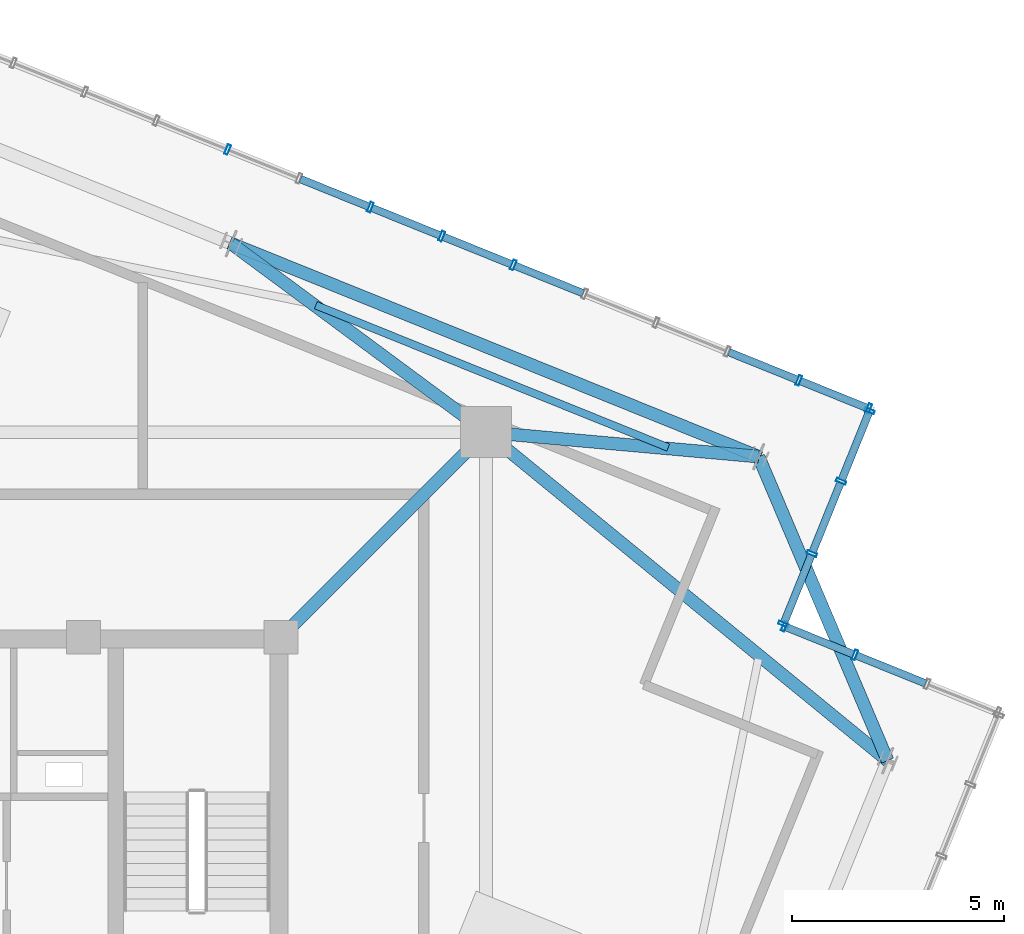
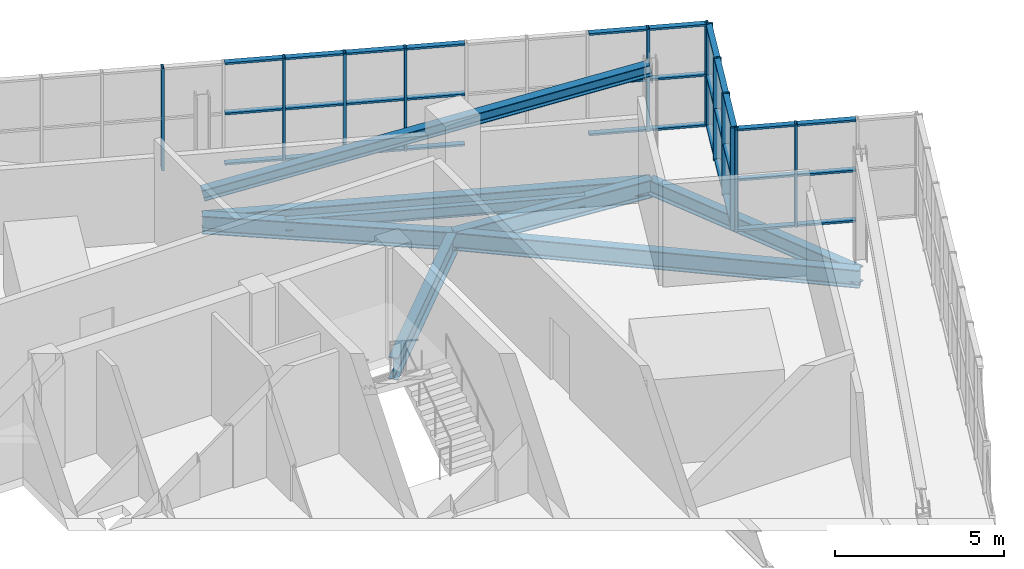
# One storey, part 16 of 26: 46 members, 7 beams, 3 elements without a shape of their own.
"""IFC4 building model written with IfcOpenShell, lengths in metres."""

from ifc_helpers import new_model, si_unit, direction, frame, origin, origin_2d, place, context, subcontext, project, spatial, hollow_rectangle, i_section, extrude, source, transform, mapped, material, layer, layer_set, material_profile, profile_set, type_object, element, aggregate, save


model = new_model("IFC4")

# Units and contexts
model_context = context("Model", 3, precision=1e-05, world=origin(), true_north=direction((0.0, 1.0)))
body_context = subcontext(model_context, "Body", "Model", "MODEL_VIEW")
ifc_project = project(units=[si_unit("LENGTHUNIT", "METRE"), si_unit("AREAUNIT", "SQUARE_METRE"), si_unit("VOLUMEUNIT", "CUBIC_METRE"), si_unit("PLANEANGLEUNIT", "RADIAN"), si_unit("MASSUNIT", "GRAM", prefix="KILO"), si_unit("THERMODYNAMICTEMPERATUREUNIT", "KELVIN")], contexts=[model_context])

# Site, building, storey
site_placement = place(None, origin())
site = spatial("IfcSite", under=ifc_project, at=site_placement, CompositionType="ELEMENT")
building_placement = place(site_placement, origin())
building = spatial("IfcBuilding", under=site, at=building_placement, Name="Kosmvard Interchange Tower", CompositionType="ELEMENT")
storey_placement = place(building_placement, frame((0.0, 0.0, 333.60009765625)))
storey = spatial("IfcBuildingStorey", under=building, at=storey_placement, Name="L82", CompositionType="ELEMENT", Elevation=333.60009765625)

# Beam
ifc_material_1 = material(Name="Steel S355", Category="steel")
ifc_material_profile_1 = material_profile(ifc_material_1, i_section(OverallWidth=0.300048828125, OverallDepth=0.800048828125, WebThickness=0.017578125, FlangeThickness=0.032958984375, FilletRadius=0.027099609375, at=origin_2d()), Name="HEB 800")
ifc_profile_set_1 = profile_set([ifc_material_profile_1], Name="Steel S355")
beam_type_1 = type_object("IfcBeamType", Name="Primary Mega-Frame Girder HEB 800 S355", PredefinedType="BEAM", material=ifc_profile_set_1)
shared_shape_1 = source(origin(), body_context, "Body", "SweptSolid", [
    extrude(i_section(OverallWidth=0.300048828125, OverallDepth=0.800048828125, WebThickness=0.017578125, FlangeThickness=0.032958984375, FilletRadius=0.027099609375, at=origin_2d()), origin(), (0.0, 0.0, 1.0), 6.83203125),
])
beam_1_placement = place(storey_placement, frame((8.25, 8.25, -0.7001953125), z_axis=(0.707106781187, 0.707106781187, 0.0), x_axis=(-0.707106781187, 0.707106781187, 0.0)))
element("IfcBeam", 1, at=beam_1_placement, inside=storey, type_object=beam_type_1, Name="L82 Radial Mega-Frame Girder 3", PredefinedType="BEAM", context=body_context, shape_type="MappedRepresentation", body=[
    mapped(shared_shape_1, transform((0.0, 0.0, 0.0), scale=1.0)),
])

# Member
ifc_material_profile_2 = material_profile(ifc_material_1, i_section(OverallWidth=0.300048828125, OverallDepth=0.39990234375, WebThickness=0.013427734375, FlangeThickness=0.02392578125, FilletRadius=0.027099609375, at=origin_2d()), Name="HEB 400")
ifc_profile_set_2 = profile_set([ifc_material_profile_2], Name="Steel S355")
member_type_1 = type_object("IfcMemberType", Name="Lantern Crown Diagrid Brace HEB 400 S355", PredefinedType="BRACE", material=ifc_profile_set_2)
shared_shape_2 = source(origin(), body_context, "Body", "SweptSolid", [
    extrude(i_section(OverallWidth=0.300048828125, OverallDepth=0.39990234375, WebThickness=0.013427734375, FlangeThickness=0.02392578125, FilletRadius=0.027099609375, at=origin_2d()), origin(), (0.0, 0.0, 1.0), 13.78369140625),
])
member_1_placement = place(storey_placement, frame((7.080078125, 17.523681640625, 0.419921875), z_axis=(0.901373372792, -0.364162635972, 0.234332279859), x_axis=(0.374592580972, 0.927189515839, 0.0)))
element("IfcMember", 2, at=member_1_placement, inside=storey, type_object=member_type_1, Name="L82 Crown Lantern Diagrid Brace E1", PredefinedType="BRACE", context=body_context, shape_type="MappedRepresentation", body=[
    mapped(shared_shape_2, transform((0.0, 0.0, 0.0), scale=1.0)),
])

# Beams
ifc_material_profile_3 = material_profile(ifc_material_1, i_section(OverallWidth=0.300048828125, OverallDepth=0.550048828125, WebThickness=0.014892578125, FlangeThickness=0.029052734375, FilletRadius=0.027099609375, at=origin_2d()), Name="HEB 550")
ifc_profile_set_3 = profile_set([ifc_material_profile_3], Name="Steel S355")
beam_type_2 = type_object("IfcBeamType", Name="Crown Ring Cap Girder HEB 550 S355", PredefinedType="BEAM", material=ifc_profile_set_3)
shared_shape_3 = source(origin(), body_context, "Body", "SweptSolid", [
    extrude(i_section(OverallWidth=0.300048828125, OverallDepth=0.550048828125, WebThickness=0.014892578125, FlangeThickness=0.029052734375, FilletRadius=0.027099609375, at=origin_2d()), origin(), (0.0, 0.0, 1.0), 13.39990234375),
])
beam_2_placement = place(storey_placement, frame((19.50439453125, 12.504150390625, -0.5751953125), z_axis=(-0.927189515839, 0.374592580972, 0.0), x_axis=(-0.374592580972, -0.927189515839, 0.0)))
element("IfcBeam", 3, at=beam_2_placement, inside=storey, type_object=beam_type_2, Name="BM-L82-PR04", PredefinedType="BEAM", context=body_context, shape_type="MappedRepresentation", body=[
    mapped(shared_shape_3, transform((0.0, 0.0, 0.0), scale=1.0)),
])
ifc_material_profile_4 = material_profile(ifc_material_1, i_section(OverallWidth=0.300048828125, OverallDepth=0.64990234375, WebThickness=0.01611328125, FlangeThickness=0.031005859375, FilletRadius=0.027099609375, at=origin_2d()), Name="HEB 650")
ifc_profile_set_4 = profile_set([ifc_material_profile_4], Name="Steel S355")
beam_type_3 = type_object("IfcBeamType", Name="Primary Floor Girder HEB 650 S355", PredefinedType="BEAM", material=ifc_profile_set_4)
shared_shape_4 = source(origin(), body_context, "Body", "SweptSolid", [
    extrude(i_section(OverallWidth=0.300048828125, OverallDepth=0.64990234375, WebThickness=0.01611328125, FlangeThickness=0.031005859375, FilletRadius=0.027099609375, at=origin_2d()), origin(), (0.0, 0.0, 1.0), 6.44921875),
])
beam_3_placement = place(storey_placement, frame((13.0810546875, 13.0810546875, -0.625), z_axis=(0.995990982197, -0.089453694068, 0.0), x_axis=(0.089453694068, 0.995990982197, 0.0)))
element("IfcBeam", 4, at=beam_3_placement, inside=storey, type_object=beam_type_3, Name="BM-L82-RD04", PredefinedType="BEAM", context=body_context, shape_type="MappedRepresentation", body=[
    mapped(shared_shape_4, transform((0.0, 0.0, 0.0), scale=1.0)),
])
shared_shape_5 = source(origin(), body_context, "Body", "SweptSolid", [
    extrude(i_section(OverallWidth=0.300048828125, OverallDepth=0.64990234375, WebThickness=0.01611328125, FlangeThickness=0.031005859375, FilletRadius=0.027099609375, at=origin_2d()), origin(), (0.0, 0.0, 1.0), 7.466552734375),
])
beam_4_placement = place(storey_placement, frame((13.0810546875, 13.0810546875, -0.625), z_axis=(-0.803719929879, 0.595007793491, 0.0), x_axis=(-0.595007793491, -0.803719929879, 0.0)))
element("IfcBeam", 5, at=beam_4_placement, inside=storey, type_object=beam_type_3, Name="BM-L82-RD05", PredefinedType="BEAM", context=body_context, shape_type="MappedRepresentation", body=[
    mapped(shared_shape_5, transform((0.0, 0.0, 0.0), scale=1.0)),
])
shared_shape_6 = source(origin(), body_context, "Body", "SweptSolid", [
    extrude(i_section(OverallWidth=0.300048828125, OverallDepth=0.550048828125, WebThickness=0.014892578125, FlangeThickness=0.029052734375, FilletRadius=0.027099609375, at=origin_2d()), origin(), (0.0, 0.0, 1.0), 7.778076171875),
])
beam_5_placement = place(storey_placement, frame((22.54345703125, 5.34423828125, -0.5751953125), z_axis=(-0.39071589075, 0.92051132134, 0.0), x_axis=(-0.92051132134, -0.39071589075, 0.0)))
element("IfcBeam", 6, at=beam_5_placement, inside=storey, type_object=beam_type_2, Name="BM-L82-PR03", PredefinedType="BEAM", context=body_context, shape_type="MappedRepresentation", body=[
    mapped(shared_shape_6, transform((0.0, 0.0, 0.0), scale=1.0)),
])
shared_shape_7 = source(origin(), body_context, "Body", "SweptSolid", [
    extrude(i_section(OverallWidth=0.300048828125, OverallDepth=0.64990234375, WebThickness=0.01611328125, FlangeThickness=0.031005859375, FilletRadius=0.027099609375, at=origin_2d()), origin(), (0.0, 0.0, 1.0), 12.22265625),
])
beam_6_placement = place(storey_placement, frame((13.0810546875, 13.0810546875, -0.625), z_axis=(0.774163725034, -0.632985408079, 0.0), x_axis=(0.632985408079, 0.774163725034, 0.0)))
element("IfcBeam", 7, at=beam_6_placement, inside=storey, type_object=beam_type_3, Name="BM-L82-RD03", PredefinedType="BEAM", context=body_context, shape_type="MappedRepresentation", body=[
    mapped(shared_shape_7, transform((0.0, 0.0, 0.0), scale=1.0)),
])
ifc_material_profile_5 = material_profile(ifc_material_1, i_section(OverallWidth=0.179931640625, OverallDepth=0.39990234375, WebThickness=0.008544921875, FlangeThickness=0.013427734375, FilletRadius=0.02099609375, at=origin_2d()), Name="IPE 400")
ifc_profile_set_5 = profile_set([ifc_material_profile_5], Name="Steel S355")
beam_type_4 = type_object("IfcBeamType", Name="Upper-Zone Floor Joist IPE 400 S355", PredefinedType="JOIST", material=ifc_profile_set_5)
shared_shape_8 = source(origin(), body_context, "Body", "SweptSolid", [
    extrude(i_section(OverallWidth=0.179931640625, OverallDepth=0.39990234375, WebThickness=0.008544921875, FlangeThickness=0.013427734375, FilletRadius=0.02099609375, at=origin_2d()), origin(), (0.0, 0.0, 1.0), 8.9521484375),
])
beam_7_placement = place(storey_placement, frame((17.374755859375, 12.71875, -0.5), z_axis=(-0.927194118723, 0.374581187736, 0.0), x_axis=(-0.374581187736, -0.927194118723, 0.0)))
element("IfcBeam", 8, at=beam_7_placement, inside=storey, type_object=beam_type_4, Name="BM-L82-FJ03", PredefinedType="JOIST", context=body_context, shape_type="MappedRepresentation", body=[
    mapped(shared_shape_8, transform((0.0, 0.0, 0.0), scale=1.0)),
])

# Curtain wall, members
ifc_material_2 = material(Name="Architectural anodised aluminium", Category="aluminium")
ifc_layer = layer(ifc_material_2, 0.25, Name="Architectural anodised aluminium")
ifc_layer_set = layer_set([ifc_layer], Name="Architectural anodised aluminium")
curtain_wall_type = type_object("IfcCurtainWallType", Name="CW-6 Illuminated Crown Lantern Curtain Wall", PredefinedType="NOTDEFINED", material=ifc_layer_set)
curtain_wall_1_placement = place(storey_placement, origin())
curtain_wall_1 = element("IfcCurtainWall", 9, at=curtain_wall_1_placement, inside=storey, type_object=curtain_wall_type, Name="L82 Crown Lantern Glazing Face 02", PredefinedType="NOTDEFINED")
ifc_material_profile_6 = material_profile(ifc_material_2, hollow_rectangle(XDim=0.239990234375, YDim=0.080078125, WallThickness=0.006103515625, at=origin_2d()), Name="CWM 240x80x6")
ifc_profile_set_6 = profile_set([ifc_material_profile_6], Name="Architectural anodised aluminium")
member_type_2 = type_object("IfcMemberType", Name="Lantern & Observation CW Mullion 240x80 Aluminium", PredefinedType="MULLION", material=ifc_profile_set_6)
shared_shape_9 = source(origin(), body_context, "Body", "SweptSolid", [
    extrude(hollow_rectangle(XDim=0.239990234375, YDim=0.080078125, WallThickness=0.006103515625, at=origin_2d()), origin(), (0.0, 0.0, 1.0), 3.699951171875),
])
member_2_placement = place(storey_placement, frame((21.7734375, 7.833984375, 0.0), z_axis=(0.0, 0.0, 1.0), x_axis=(-0.374606564822, -0.92718386612, 0.0)))
member_2 = element("IfcMember", 10, at=member_2_placement, type_object=member_type_2, Name="CW-6 mullion 3", PredefinedType="MULLION", context=body_context, shape_type="MappedRepresentation", body=[
    mapped(shared_shape_9, transform((0.0, 0.0, 0.0), scale=1.0)),
])
member_3_placement = place(storey_placement, frame((20.110595703125, 8.505859375, 0.0), z_axis=(0.0, 0.0, 1.0), x_axis=(-0.374606564822, -0.92718386612, 0.0)))
member_3 = element("IfcMember", 11, at=member_3_placement, type_object=member_type_2, Name="CW-6 mullion 4", PredefinedType="MULLION", context=body_context, shape_type="MappedRepresentation", body=[
    mapped(shared_shape_9, transform((0.0, 0.0, 0.0), scale=1.0)),
])

curtain_wall_2_placement = place(storey_placement, origin())
curtain_wall_2 = element("IfcCurtainWall", 12, at=curtain_wall_2_placement, inside=storey, type_object=curtain_wall_type, Name="L82 Crown Lantern Glazing Face 03", PredefinedType="NOTDEFINED")
member_4_placement = place(storey_placement, frame((20.088623046875, 8.557861328125, 0.0), z_axis=(0.0, 0.0, 1.0), x_axis=(-0.927183891631, 0.374606501678, 0.0)))
member_4 = element("IfcMember", 13, at=member_4_placement, type_object=member_type_2, Name="CW-6 mullion 1", PredefinedType="MULLION", context=body_context, shape_type="MappedRepresentation", body=[
    mapped(shared_shape_9, transform((0.0, 0.0, 0.0), scale=1.0)),
])
member_5_placement = place(storey_placement, frame((20.760498046875, 10.220458984375, 0.0), z_axis=(0.0, 0.0, 1.0), x_axis=(-0.927183891631, 0.374606501678, 0.0)))
member_5 = element("IfcMember", 14, at=member_5_placement, type_object=member_type_2, Name="CW-6 mullion 2", PredefinedType="MULLION", context=body_context, shape_type="MappedRepresentation", body=[
    mapped(shared_shape_9, transform((0.0, 0.0, 0.0), scale=1.0)),
])
member_6_placement = place(storey_placement, frame((21.447265625, 11.92041015625, 0.0), z_axis=(0.0, 0.0, 1.0), x_axis=(-0.927183891631, 0.374606501678, 0.0)))
member_6 = element("IfcMember", 15, at=member_6_placement, type_object=member_type_2, Name="CW-6 mullion 3", PredefinedType="MULLION", context=body_context, shape_type="MappedRepresentation", body=[
    mapped(shared_shape_9, transform((0.0, 0.0, 0.0), scale=1.0)),
])
member_7_placement = place(storey_placement, frame((22.118896484375, 13.583251953125, 0.0), z_axis=(0.0, 0.0, 1.0), x_axis=(-0.927183891631, 0.374606501678, 0.0)))
member_7 = element("IfcMember", 16, at=member_7_placement, type_object=member_type_2, Name="CW-6 mullion 4", PredefinedType="MULLION", context=body_context, shape_type="MappedRepresentation", body=[
    mapped(shared_shape_9, transform((0.0, 0.0, 0.0), scale=1.0)),
])

curtain_wall_3_placement = place(storey_placement, origin())
curtain_wall_3 = element("IfcCurtainWall", 17, at=curtain_wall_3_placement, inside=storey, type_object=curtain_wall_type, Name="L82 Crown Lantern Glazing Face 04", PredefinedType="NOTDEFINED")
member_8_placement = place(storey_placement, frame((22.096923828125, 13.63525390625, 0.0), z_axis=(0.0, 0.0, 1.0), x_axis=(-0.374606584758, -0.927183858065, 0.0)))
member_8 = element("IfcMember", 18, at=member_8_placement, type_object=member_type_2, Name="CW-6 mullion 1", PredefinedType="MULLION", context=body_context, shape_type="MappedRepresentation", body=[
    mapped(shared_shape_9, transform((0.0, 0.0, 0.0), scale=1.0)),
])
member_9_placement = place(storey_placement, frame((20.451904296875, 14.2998046875, 0.0), z_axis=(0.0, 0.0, 1.0), x_axis=(-0.374606584758, -0.927183858065, 0.0)))
member_9 = element("IfcMember", 19, at=member_9_placement, type_object=member_type_2, Name="CW-6 mullion 2", PredefinedType="MULLION", context=body_context, shape_type="MappedRepresentation", body=[
    mapped(shared_shape_9, transform((0.0, 0.0, 0.0), scale=1.0)),
])
member_10_placement = place(storey_placement, frame((13.723876953125, 17.01806640625, 0.0), z_axis=(0.0, 0.0, 1.0), x_axis=(-0.374606584758, -0.927183858065, 0.0)))
member_10 = element("IfcMember", 20, at=member_10_placement, type_object=member_type_2, Name="CW-6 mullion 6", PredefinedType="MULLION", context=body_context, shape_type="MappedRepresentation", body=[
    mapped(shared_shape_9, transform((0.0, 0.0, 0.0), scale=1.0)),
])
member_11_placement = place(storey_placement, frame((12.041748046875, 17.69775390625, 0.0), z_axis=(0.0, 0.0, 1.0), x_axis=(-0.374606584758, -0.927183858065, 0.0)))
member_11 = element("IfcMember", 21, at=member_11_placement, type_object=member_type_2, Name="CW-6 mullion 7", PredefinedType="MULLION", context=body_context, shape_type="MappedRepresentation", body=[
    mapped(shared_shape_9, transform((0.0, 0.0, 0.0), scale=1.0)),
])
member_12_placement = place(storey_placement, frame((10.35986328125, 18.377197265625, 0.0), z_axis=(0.0, 0.0, 1.0), x_axis=(-0.374606584758, -0.927183858065, 0.0)))
member_12 = element("IfcMember", 22, at=member_12_placement, type_object=member_type_2, Name="CW-6 mullion 8", PredefinedType="MULLION", context=body_context, shape_type="MappedRepresentation", body=[
    mapped(shared_shape_9, transform((0.0, 0.0, 0.0), scale=1.0)),
])
member_13_placement = place(storey_placement, frame((6.995849609375, 19.736572265625, 0.0), z_axis=(0.0, 0.0, 1.0), x_axis=(-0.374606584758, -0.927183858065, 0.0)))
member_13 = element("IfcMember", 23, at=member_13_placement, type_object=member_type_2, Name="CW-6 mullion 10", PredefinedType="MULLION", context=body_context, shape_type="MappedRepresentation", body=[
    mapped(shared_shape_9, transform((0.0, 0.0, 0.0), scale=1.0)),
])
ifc_material_profile_7 = material_profile(ifc_material_2, hollow_rectangle(XDim=0.179931640625, YDim=0.070068359375, WallThickness=0.0048828125, at=origin_2d()), Name="CWT 180x70x5")
ifc_profile_set_7 = profile_set([ifc_material_profile_7], Name="Architectural anodised aluminium")
member_type_3 = type_object("IfcMemberType", Name="Heavy Lantern CW Transom 180x70 Aluminium", PredefinedType="USERDEFINED", material=ifc_profile_set_7)
shared_shape_10 = source(origin(), body_context, "Body", "SweptSolid", [
    extrude(hollow_rectangle(XDim=0.179931640625, YDim=0.070068359375, WallThickness=0.0048828125, at=origin_2d()), origin(), (0.0, 0.0, 1.0), 1.694091796875),
])
member_14_placement = place(storey_placement, frame((22.059814453125, 13.650146484375, 0.034912109375), z_axis=(-0.927159064032, 0.374667946298, 0.0), x_axis=(-0.374667946298, -0.927159064032, 0.0)))
member_14 = element("IfcMember", 24, at=member_14_placement, type_object=member_type_3, Name="CW-6 transom 1.1", ObjectType="TRANSOM", PredefinedType="USERDEFINED", context=body_context, shape_type="MappedRepresentation", body=[
    mapped(shared_shape_10, transform((0.0, 0.0, 0.0), scale=1.0)),
])
member_15_placement = place(storey_placement, frame((22.059814453125, 13.650146484375, 1.849853515625), z_axis=(-0.927159064032, 0.374667946298, 0.0), x_axis=(-0.374667946298, -0.927159064032, 0.0)))
member_15 = element("IfcMember", 25, at=member_15_placement, type_object=member_type_3, Name="CW-6 transom 1.2", ObjectType="TRANSOM", PredefinedType="USERDEFINED", context=body_context, shape_type="MappedRepresentation", body=[
    mapped(shared_shape_10, transform((0.0, 0.0, 0.0), scale=1.0)),
])
member_16_placement = place(storey_placement, frame((22.059814453125, 13.650146484375, 3.664794921875), z_axis=(-0.927159064032, 0.374667946298, 0.0), x_axis=(-0.374667946298, -0.927159064032, 0.0)))
member_16 = element("IfcMember", 26, at=member_16_placement, type_object=member_type_3, Name="CW-6 transom 1.3", ObjectType="TRANSOM", PredefinedType="USERDEFINED", context=body_context, shape_type="MappedRepresentation", body=[
    mapped(shared_shape_10, transform((0.0, 0.0, 0.0), scale=1.0)),
])
shared_shape_11 = source(origin(), body_context, "Body", "SweptSolid", [
    extrude(hollow_rectangle(XDim=0.179931640625, YDim=0.070068359375, WallThickness=0.0048828125, at=origin_2d()), origin(), (0.0, 0.0, 1.0), 1.734130859375),
])
member_17_placement = place(storey_placement, frame((20.414794921875, 14.314697265625, 0.034912109375), z_axis=(-0.927179782522, 0.374616671924, 0.0), x_axis=(-0.374616671924, -0.927179782522, 0.0)))
member_17 = element("IfcMember", 27, at=member_17_placement, type_object=member_type_3, Name="CW-6 transom 2.1", ObjectType="TRANSOM", PredefinedType="USERDEFINED", context=body_context, shape_type="MappedRepresentation", body=[
    mapped(shared_shape_11, transform((0.0, 0.0, 0.0), scale=1.0)),
])
member_18_placement = place(storey_placement, frame((20.414794921875, 14.314697265625, 1.849853515625), z_axis=(-0.927179782522, 0.374616671924, 0.0), x_axis=(-0.374616671924, -0.927179782522, 0.0)))
member_18 = element("IfcMember", 28, at=member_18_placement, type_object=member_type_3, Name="CW-6 transom 2.2", ObjectType="TRANSOM", PredefinedType="USERDEFINED", context=body_context, shape_type="MappedRepresentation", body=[
    mapped(shared_shape_11, transform((0.0, 0.0, 0.0), scale=1.0)),
])
member_19_placement = place(storey_placement, frame((20.414794921875, 14.314697265625, 3.664794921875), z_axis=(-0.927179782522, 0.374616671924, 0.0), x_axis=(-0.374616671924, -0.927179782522, 0.0)))
member_19 = element("IfcMember", 29, at=member_19_placement, type_object=member_type_3, Name="CW-6 transom 2.3", ObjectType="TRANSOM", PredefinedType="USERDEFINED", context=body_context, shape_type="MappedRepresentation", body=[
    mapped(shared_shape_11, transform((0.0, 0.0, 0.0), scale=1.0)),
])
member_20_placement = place(storey_placement, frame((15.368896484375, 16.353515625, 0.034912109375), z_axis=(-0.927179782522, 0.374616671924, 0.0), x_axis=(-0.374616671924, -0.927179782522, 0.0)))
member_20 = element("IfcMember", 30, at=member_20_placement, type_object=member_type_3, Name="CW-6 transom 5.1", ObjectType="TRANSOM", PredefinedType="USERDEFINED", context=body_context, shape_type="MappedRepresentation", body=[
    mapped(shared_shape_11, transform((0.0, 0.0, 0.0), scale=1.0)),
])
member_21_placement = place(storey_placement, frame((15.368896484375, 16.353515625, 1.849853515625), z_axis=(-0.927179782522, 0.374616671924, 0.0), x_axis=(-0.374616671924, -0.927179782522, 0.0)))
member_21 = element("IfcMember", 31, at=member_21_placement, type_object=member_type_3, Name="CW-6 transom 5.2", ObjectType="TRANSOM", PredefinedType="USERDEFINED", context=body_context, shape_type="MappedRepresentation", body=[
    mapped(shared_shape_11, transform((0.0, 0.0, 0.0), scale=1.0)),
])
member_22_placement = place(storey_placement, frame((15.368896484375, 16.353515625, 3.664794921875), z_axis=(-0.927179782522, 0.374616671924, 0.0), x_axis=(-0.374616671924, -0.927179782522, 0.0)))
member_22 = element("IfcMember", 32, at=member_22_placement, type_object=member_type_3, Name="CW-6 transom 5.3", ObjectType="TRANSOM", PredefinedType="USERDEFINED", context=body_context, shape_type="MappedRepresentation", body=[
    mapped(shared_shape_11, transform((0.0, 0.0, 0.0), scale=1.0)),
])
member_23_placement = place(storey_placement, frame((13.686767578125, 17.033203125, 0.034912109375), z_axis=(-0.927179782522, 0.374616671924, 0.0), x_axis=(-0.374616671924, -0.927179782522, 0.0)))
member_23 = element("IfcMember", 33, at=member_23_placement, type_object=member_type_3, Name="CW-6 transom 6.1", ObjectType="TRANSOM", PredefinedType="USERDEFINED", context=body_context, shape_type="MappedRepresentation", body=[
    mapped(shared_shape_11, transform((0.0, 0.0, 0.0), scale=1.0)),
])
member_24_placement = place(storey_placement, frame((13.686767578125, 17.033203125, 1.849853515625), z_axis=(-0.927179782522, 0.374616671924, 0.0), x_axis=(-0.374616671924, -0.927179782522, 0.0)))
member_24 = element("IfcMember", 34, at=member_24_placement, type_object=member_type_3, Name="CW-6 transom 6.2", ObjectType="TRANSOM", PredefinedType="USERDEFINED", context=body_context, shape_type="MappedRepresentation", body=[
    mapped(shared_shape_11, transform((0.0, 0.0, 0.0), scale=1.0)),
])
member_25_placement = place(storey_placement, frame((13.686767578125, 17.033203125, 3.664794921875), z_axis=(-0.927179782522, 0.374616671924, 0.0), x_axis=(-0.374616671924, -0.927179782522, 0.0)))
member_25 = element("IfcMember", 35, at=member_25_placement, type_object=member_type_3, Name="CW-6 transom 6.3", ObjectType="TRANSOM", PredefinedType="USERDEFINED", context=body_context, shape_type="MappedRepresentation", body=[
    mapped(shared_shape_11, transform((0.0, 0.0, 0.0), scale=1.0)),
])
member_26_placement = place(storey_placement, frame((10.32275390625, 18.392333984375, 0.034912109375), z_axis=(-0.927179782522, 0.374616671924, 0.0), x_axis=(-0.374616671924, -0.927179782522, 0.0)))
member_26 = element("IfcMember", 36, at=member_26_placement, type_object=member_type_3, Name="CW-6 transom 8.1", ObjectType="TRANSOM", PredefinedType="USERDEFINED", context=body_context, shape_type="MappedRepresentation", body=[
    mapped(shared_shape_11, transform((0.0, 0.0, 0.0), scale=1.0)),
])
member_27_placement = place(storey_placement, frame((10.32275390625, 18.392333984375, 1.849853515625), z_axis=(-0.927179782522, 0.374616671924, 0.0), x_axis=(-0.374616671924, -0.927179782522, 0.0)))
member_27 = element("IfcMember", 37, at=member_27_placement, type_object=member_type_3, Name="CW-6 transom 8.2", ObjectType="TRANSOM", PredefinedType="USERDEFINED", context=body_context, shape_type="MappedRepresentation", body=[
    mapped(shared_shape_11, transform((0.0, 0.0, 0.0), scale=1.0)),
])
member_28_placement = place(storey_placement, frame((10.32275390625, 18.392333984375, 3.664794921875), z_axis=(-0.927179782522, 0.374616671924, 0.0), x_axis=(-0.374616671924, -0.927179782522, 0.0)))
member_28 = element("IfcMember", 38, at=member_28_placement, type_object=member_type_3, Name="CW-6 transom 8.3", ObjectType="TRANSOM", PredefinedType="USERDEFINED", context=body_context, shape_type="MappedRepresentation", body=[
    mapped(shared_shape_11, transform((0.0, 0.0, 0.0), scale=1.0)),
])
shared_shape_12 = source(origin(), body_context, "Body", "SweptSolid", [
    extrude(hollow_rectangle(XDim=0.179931640625, YDim=0.070068359375, WallThickness=0.0048828125, at=origin_2d()), origin(), (0.0, 0.0, 1.0), 1.73388671875),
])
member_29_placement = place(storey_placement, frame((12.004638671875, 17.712646484375, 0.034912109375), z_axis=(-0.927160021861, 0.374665576032, 0.0), x_axis=(-0.374665576032, -0.927160021861, 0.0)))
member_29 = element("IfcMember", 39, at=member_29_placement, type_object=member_type_3, Name="CW-6 transom 7.1", ObjectType="TRANSOM", PredefinedType="USERDEFINED", context=body_context, shape_type="MappedRepresentation", body=[
    mapped(shared_shape_12, transform((0.0, 0.0, 0.0), scale=1.0)),
])
member_30_placement = place(storey_placement, frame((12.004638671875, 17.712646484375, 1.849853515625), z_axis=(-0.927160021861, 0.374665576032, 0.0), x_axis=(-0.374665576032, -0.927160021861, 0.0)))
member_30 = element("IfcMember", 40, at=member_30_placement, type_object=member_type_3, Name="CW-6 transom 7.2", ObjectType="TRANSOM", PredefinedType="USERDEFINED", context=body_context, shape_type="MappedRepresentation", body=[
    mapped(shared_shape_12, transform((0.0, 0.0, 0.0), scale=1.0)),
])
member_31_placement = place(storey_placement, frame((12.004638671875, 17.712646484375, 3.664794921875), z_axis=(-0.927160021861, 0.374665576032, 0.0), x_axis=(-0.374665576032, -0.927160021861, 0.0)))
member_31 = element("IfcMember", 41, at=member_31_placement, type_object=member_type_3, Name="CW-6 transom 7.3", ObjectType="TRANSOM", PredefinedType="USERDEFINED", context=body_context, shape_type="MappedRepresentation", body=[
    mapped(shared_shape_12, transform((0.0, 0.0, 0.0), scale=1.0)),
])
aggregate(curtain_wall_3, [member_8, member_9, member_10, member_11, member_12, member_13, member_14, member_15, member_16, member_17, member_18, member_19, member_20, member_21, member_22, member_23, member_24, member_25, member_29, member_30, member_31, member_26, member_27, member_28])

# Member
shared_shape_13 = source(origin(), body_context, "Body", "SweptSolid", [
    extrude(hollow_rectangle(XDim=0.179931640625, YDim=0.070068359375, WallThickness=0.0048828125, at=origin_2d()), origin(), (0.0, 0.0, 1.0), 1.71337890625),
])
member_32_placement = place(storey_placement, frame((21.736328125, 7.848876953125, 0.034912109375), z_axis=(-0.927183787829, 0.374606758599, 0.0), x_axis=(-0.374606758599, -0.927183787829, 0.0)))
member_32 = element("IfcMember", 42, at=member_32_placement, type_object=member_type_3, Name="CW-6 transom 3.1", ObjectType="TRANSOM", PredefinedType="USERDEFINED", context=body_context, shape_type="MappedRepresentation", body=[
    mapped(shared_shape_13, transform((0.0, 0.0, 0.0), scale=1.0)),
])

member_33_placement = place(storey_placement, frame((21.736328125, 7.848876953125, 1.849853515625), z_axis=(-0.927183787829, 0.374606758599, 0.0), x_axis=(-0.374606758599, -0.927183787829, 0.0)))
member_33 = element("IfcMember", 43, at=member_33_placement, type_object=member_type_3, Name="CW-6 transom 3.2", ObjectType="TRANSOM", PredefinedType="USERDEFINED", context=body_context, shape_type="MappedRepresentation", body=[
    mapped(shared_shape_13, transform((0.0, 0.0, 0.0), scale=1.0)),
])

member_34_placement = place(storey_placement, frame((21.736328125, 7.848876953125, 3.664794921875), z_axis=(-0.927183787829, 0.374606758599, 0.0), x_axis=(-0.374606758599, -0.927183787829, 0.0)))
member_34 = element("IfcMember", 44, at=member_34_placement, type_object=member_type_3, Name="CW-6 transom 3.3", ObjectType="TRANSOM", PredefinedType="USERDEFINED", context=body_context, shape_type="MappedRepresentation", body=[
    mapped(shared_shape_13, transform((0.0, 0.0, 0.0), scale=1.0)),
])

member_35_placement = place(storey_placement, frame((20.103515625, 8.594970703125, 0.034912109375), z_axis=(0.374606758599, 0.927183787829, 0.0), x_axis=(-0.927183787829, 0.374606758599, 0.0)))
member_35 = element("IfcMember", 45, at=member_35_placement, type_object=member_type_3, Name="CW-6 transom 1.1", ObjectType="TRANSOM", PredefinedType="USERDEFINED", context=body_context, shape_type="MappedRepresentation", body=[
    mapped(shared_shape_13, transform((0.0, 0.0, 0.0), scale=1.0)),
])

member_36_placement = place(storey_placement, frame((20.103515625, 8.594970703125, 1.849853515625), z_axis=(0.374606758599, 0.927183787829, 0.0), x_axis=(-0.927183787829, 0.374606758599, 0.0)))
member_36 = element("IfcMember", 46, at=member_36_placement, type_object=member_type_3, Name="CW-6 transom 1.2", ObjectType="TRANSOM", PredefinedType="USERDEFINED", context=body_context, shape_type="MappedRepresentation", body=[
    mapped(shared_shape_13, transform((0.0, 0.0, 0.0), scale=1.0)),
])

member_37_placement = place(storey_placement, frame((20.103515625, 8.594970703125, 3.664794921875), z_axis=(0.374606758599, 0.927183787829, 0.0), x_axis=(-0.927183787829, 0.374606758599, 0.0)))
member_37 = element("IfcMember", 47, at=member_37_placement, type_object=member_type_3, Name="CW-6 transom 1.3", ObjectType="TRANSOM", PredefinedType="USERDEFINED", context=body_context, shape_type="MappedRepresentation", body=[
    mapped(shared_shape_13, transform((0.0, 0.0, 0.0), scale=1.0)),
])

member_38_placement = place(storey_placement, frame((21.462158203125, 11.95751953125, 0.034912109375), z_axis=(0.374606758599, 0.927183787829, 0.0), x_axis=(-0.927183787829, 0.374606758599, 0.0)))
member_38 = element("IfcMember", 48, at=member_38_placement, type_object=member_type_3, Name="CW-6 transom 3.1", ObjectType="TRANSOM", PredefinedType="USERDEFINED", context=body_context, shape_type="MappedRepresentation", body=[
    mapped(shared_shape_13, transform((0.0, 0.0, 0.0), scale=1.0)),
])

member_39_placement = place(storey_placement, frame((21.462158203125, 11.95751953125, 1.849853515625), z_axis=(0.374606758599, 0.927183787829, 0.0), x_axis=(-0.927183787829, 0.374606758599, 0.0)))
member_39 = element("IfcMember", 49, at=member_39_placement, type_object=member_type_3, Name="CW-6 transom 3.2", ObjectType="TRANSOM", PredefinedType="USERDEFINED", context=body_context, shape_type="MappedRepresentation", body=[
    mapped(shared_shape_13, transform((0.0, 0.0, 0.0), scale=1.0)),
])

member_40_placement = place(storey_placement, frame((21.462158203125, 11.95751953125, 3.664794921875), z_axis=(0.374606758599, 0.927183787829, 0.0), x_axis=(-0.927183787829, 0.374606758599, 0.0)))
member_40 = element("IfcMember", 50, at=member_40_placement, type_object=member_type_3, Name="CW-6 transom 3.3", ObjectType="TRANSOM", PredefinedType="USERDEFINED", context=body_context, shape_type="MappedRepresentation", body=[
    mapped(shared_shape_13, transform((0.0, 0.0, 0.0), scale=1.0)),
])

shared_shape_14 = source(origin(), body_context, "Body", "SweptSolid", [
    extrude(hollow_rectangle(XDim=0.179931640625, YDim=0.070068359375, WallThickness=0.0048828125, at=origin_2d()), origin(), (0.0, 0.0, 1.0), 1.75341796875),
])
member_41_placement = place(storey_placement, frame((23.436279296875, 7.162109375, 0.034912109375), z_axis=(-0.927155350429, 0.374677135907, 0.0), x_axis=(-0.374677135907, -0.927155350429, 0.0)))
member_41 = element("IfcMember", 51, at=member_41_placement, type_object=member_type_3, Name="CW-6 transom 2.1", ObjectType="TRANSOM", PredefinedType="USERDEFINED", context=body_context, shape_type="MappedRepresentation", body=[
    mapped(shared_shape_14, transform((0.0, 0.0, 0.0), scale=1.0)),
])

member_42_placement = place(storey_placement, frame((23.436279296875, 7.162109375, 1.849853515625), z_axis=(-0.927155350429, 0.374677135907, 0.0), x_axis=(-0.374677135907, -0.927155350429, 0.0)))
member_42 = element("IfcMember", 52, at=member_42_placement, type_object=member_type_3, Name="CW-6 transom 2.2", ObjectType="TRANSOM", PredefinedType="USERDEFINED", context=body_context, shape_type="MappedRepresentation", body=[
    mapped(shared_shape_14, transform((0.0, 0.0, 0.0), scale=1.0)),
])

member_43_placement = place(storey_placement, frame((23.436279296875, 7.162109375, 3.664794921875), z_axis=(-0.927155350429, 0.374677135907, 0.0), x_axis=(-0.374677135907, -0.927155350429, 0.0)))
member_43 = element("IfcMember", 53, at=member_43_placement, type_object=member_type_3, Name="CW-6 transom 2.3", ObjectType="TRANSOM", PredefinedType="USERDEFINED", context=body_context, shape_type="MappedRepresentation", body=[
    mapped(shared_shape_14, transform((0.0, 0.0, 0.0), scale=1.0)),
])

aggregate(curtain_wall_1, [member_2, member_3, member_41, member_42, member_43, member_32, member_33, member_34])

member_44_placement = place(storey_placement, frame((20.775390625, 10.257568359375, 0.034912109375), z_axis=(0.37455743912, 0.927203712676, 0.0), x_axis=(-0.927203712676, 0.37455743912, 0.0)))
member_44 = element("IfcMember", 54, at=member_44_placement, type_object=member_type_3, Name="CW-6 transom 2.1", ObjectType="TRANSOM", PredefinedType="USERDEFINED", context=body_context, shape_type="MappedRepresentation", body=[
    mapped(shared_shape_14, transform((0.0, 0.0, 0.0), scale=1.0)),
])

member_45_placement = place(storey_placement, frame((20.775390625, 10.257568359375, 1.849853515625), z_axis=(0.37455743912, 0.927203712676, 0.0), x_axis=(-0.927203712676, 0.37455743912, 0.0)))
member_45 = element("IfcMember", 55, at=member_45_placement, type_object=member_type_3, Name="CW-6 transom 2.2", ObjectType="TRANSOM", PredefinedType="USERDEFINED", context=body_context, shape_type="MappedRepresentation", body=[
    mapped(shared_shape_14, transform((0.0, 0.0, 0.0), scale=1.0)),
])

member_46_placement = place(storey_placement, frame((20.775390625, 10.257568359375, 3.664794921875), z_axis=(0.37455743912, 0.927203712676, 0.0), x_axis=(-0.927203712676, 0.37455743912, 0.0)))
member_46 = element("IfcMember", 56, at=member_46_placement, type_object=member_type_3, Name="CW-6 transom 2.3", ObjectType="TRANSOM", PredefinedType="USERDEFINED", context=body_context, shape_type="MappedRepresentation", body=[
    mapped(shared_shape_14, transform((0.0, 0.0, 0.0), scale=1.0)),
])

aggregate(curtain_wall_2, [member_4, member_5, member_6, member_7, member_35, member_36, member_37, member_44, member_45, member_46, member_38, member_39, member_40])

save(model, "model.ifc")
